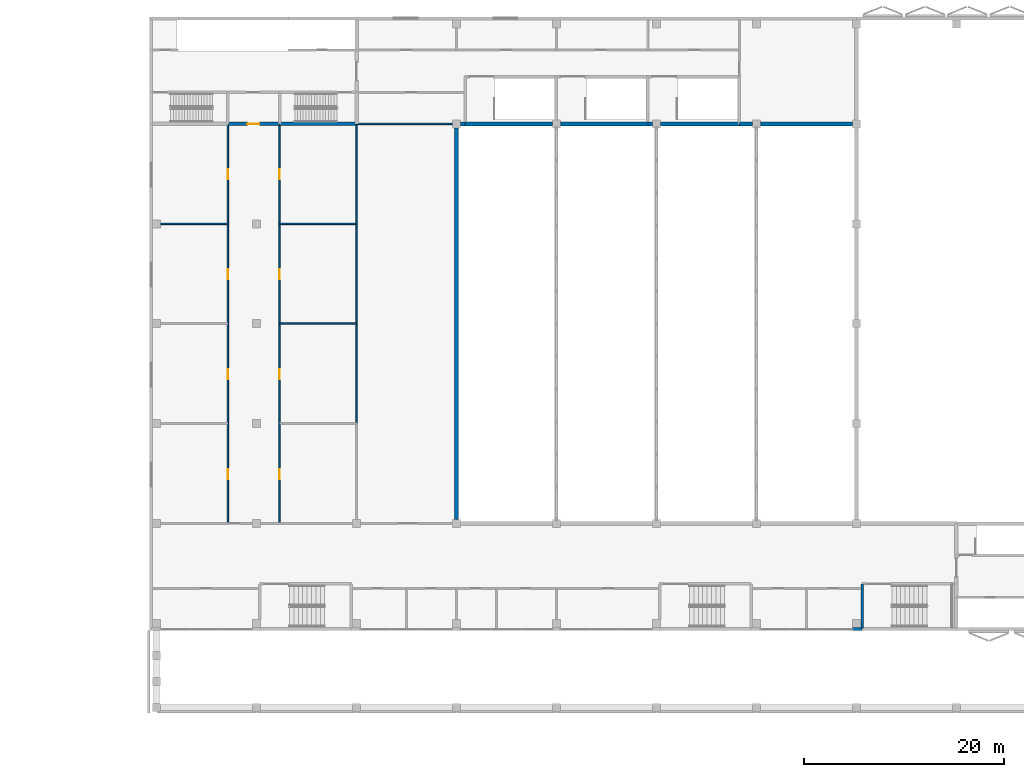
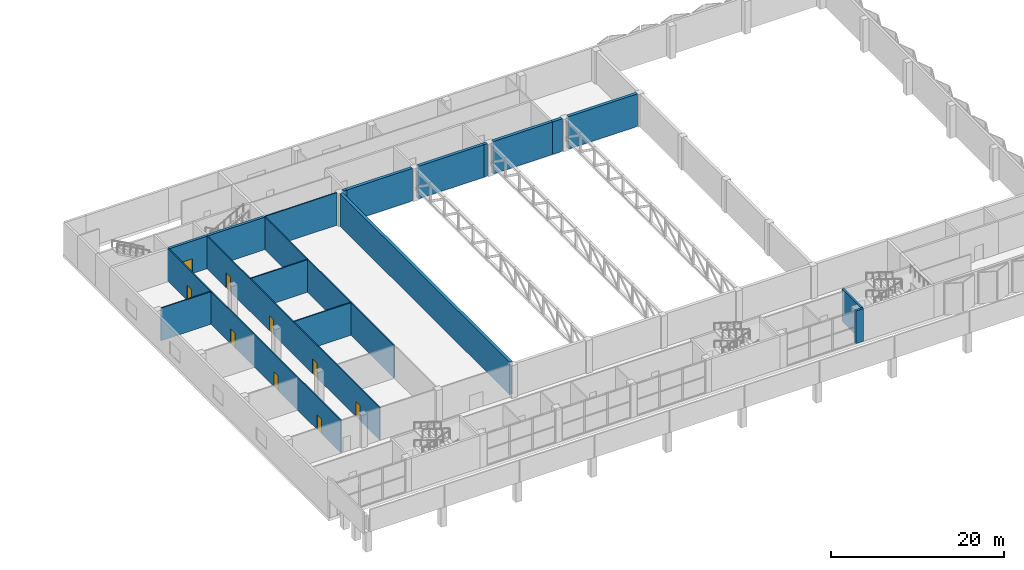
# One storey, part 17 of 36: 21 walls, 9 doors, 9 openings.
"""IFC4 building model written with IfcOpenShell, lengths in metres."""

import ifcopenshell
import ifcopenshell.guid

model = None  # the IFC model being written
_history = None  # IfcOwnerHistory: only IFC2X3 demands one
_inside = {}  # id of a spatial element -> (the spatial element, [elements in it])
_under = {}  # id of a project, library or spatial element -> (it, [spatial elements below it])
_declared = {}  # id of a project -> (the project, [libraries it declares])
_typed = {}  # id of a type object -> (the type object, [elements of that type])
_made_of = {}  # id of a material, layer set ... -> (it, [elements and type objects made of it])


def new_model(schema):
    """Start an empty IFC model of exactly this schema.

    Asked for "IFC4X3", IfcOpenShell would pick the latest addendum, in which some entities
    have other attributes; the version numbers below select the first issue.
    IFC2X3 requires an IfcOwnerHistory on every rooted entity: one is made here for all.
    """
    global model, _history
    if schema == "IFC4X3":
        model = ifcopenshell.file(schema_version=(4, 3, 0, 0))
    else:
        model = ifcopenshell.file(schema=schema)
    _inside.clear()
    _under.clear()
    _declared.clear()
    _typed.clear()
    _made_of.clear()
    _history = None
    if model.schema == "IFC2X3":
        org = make("IfcOrganization", Name="unknown")
        user = make(
            "IfcPersonAndOrganization",
            ThePerson=make("IfcPerson", FamilyName="unknown"),
            TheOrganization=org,
        )
        app = make(
            "IfcApplication",
            ApplicationDeveloper=org,
            Version="unknown",
            ApplicationFullName="unknown",
            ApplicationIdentifier="unknown",
        )
        _history = make(
            "IfcOwnerHistory",
            OwningUser=user,
            OwningApplication=app,
            ChangeAction="ADDED",
            CreationDate=0,
        )
    return model


def make(cls, **values):
    """One entity of the class cls with the attributes given. An attribute that is None is left unset."""
    return model.create_entity(
        cls, **{name: value for name, value in values.items() if value is not None}
    )


def rooted(cls, **values):
    """An entity with a GlobalId (a new one), such as an element, a storey or a relation."""
    return make(cls, GlobalId=ifcopenshell.guid.new(), OwnerHistory=_history, **values)


def si_unit(unit_type, name, prefix=None):
    """IfcSIUnit, for example si_unit("LENGTHUNIT", "METRE", prefix="MILLI")."""
    return make("IfcSIUnit", UnitType=unit_type, Prefix=prefix, Name=name)


def assignment(units):
    """IfcUnitAssignment: the units of a project."""
    return None if units is None else make("IfcUnitAssignment", Units=units)


def point(xyz):
    """IfcCartesianPoint."""
    return None if xyz is None else make("IfcCartesianPoint", Coordinates=xyz)


def direction(xyz):
    """IfcDirection."""
    return None if xyz is None else make("IfcDirection", DirectionRatios=xyz)


def frame(location, z_axis=None, x_axis=None):
    """IfcAxis2Placement3D, a coordinate frame: its origin and axes. An axis left out is left unset."""
    return make(
        "IfcAxis2Placement3D",
        Location=point(location),
        Axis=direction(z_axis),
        RefDirection=direction(x_axis),
    )


def frame_2d(location, x_axis=None):
    """IfcAxis2Placement2D, a coordinate frame in the plane: its origin and x axis."""
    return make(
        "IfcAxis2Placement2D", Location=point(location), RefDirection=direction(x_axis)
    )


def origin():
    """The frame at (0, 0, 0) with its axes left unset."""
    return frame((0.0, 0.0, 0.0))


def place(relative_to, where):
    """IfcLocalPlacement: puts the frame where relative to a parent placement (None: the world)."""
    return make(
        "IfcLocalPlacement", PlacementRelTo=relative_to, RelativePlacement=where
    )


def context(
    kind, dimensions, precision=None, world=None, true_north=None, identifier=None
):
    """IfcGeometricRepresentationContext, for example the 3D "Model" context."""
    return make(
        "IfcGeometricRepresentationContext",
        ContextIdentifier=identifier,
        ContextType=kind,
        CoordinateSpaceDimension=dimensions,
        Precision=precision,
        WorldCoordinateSystem=world,
        TrueNorth=true_north,
    )


def subcontext(parent, identifier, kind, view, scale=None):
    """IfcGeometricRepresentationSubContext, for example "Body" below "Model"."""
    return make(
        "IfcGeometricRepresentationSubContext",
        ContextIdentifier=identifier,
        ContextType=kind,
        ParentContext=parent,
        TargetScale=scale,
        TargetView=view,
    )


def project(units=None, contexts=None):
    """IfcProject with its units and contexts."""
    return rooted(
        "IfcProject",
        Name="project",
        RepresentationContexts=contexts,
        UnitsInContext=assignment(units),
    )


def spatial(cls, under=None, at=None, **own):
    """A site, building, storey or space (cls), placed at a placement, below another one or the project."""
    s = rooted(cls, ObjectPlacement=at, **own)
    if under is not None:
        _under.setdefault(under.id(), (under, []))[1].append(s)
    return s


def profile(cls, at=None, kind="AREA", **sizes):
    """A parametric profile (cls). Its sizes go by their IFC names, for example OverallWidth=200.0."""
    return make(cls, ProfileType=kind, Position=at, **sizes)


def rectangle(**sizes):
    """IfcRectangleProfileDef."""
    return profile("IfcRectangleProfileDef", **sizes)


def extrude(swept, where, along, depth):
    """IfcExtrudedAreaSolid: the profile swept, set in the frame where, extruded along a direction by depth."""
    return make(
        "IfcExtrudedAreaSolid",
        SweptArea=swept,
        Position=where,
        ExtrudedDirection=direction(along),
        Depth=depth,
    )


def shape(context_of_items, identifier, shape_type, items):
    """IfcShapeRepresentation: the items that make up one representation, for example the "Body"."""
    return make(
        "IfcShapeRepresentation",
        ContextOfItems=context_of_items,
        RepresentationIdentifier=identifier,
        RepresentationType=shape_type,
        Items=items,
    )


def material(Name=None, Category=None):
    """IfcMaterial."""
    return make("IfcMaterial", Name=Name, Category=Category)


def layer(
    of_material, thickness, ventilated=None, Name=None, Category=None, Priority=None
):
    """IfcMaterialLayer: one layer of a wall or slab, of a material (None: an air gap)."""
    return make(
        "IfcMaterialLayer",
        Material=of_material,
        LayerThickness=thickness,
        IsVentilated=ventilated,
        Name=Name,
        Category=Category,
        Priority=Priority,
    )


def layer_set(layers, Name=None):
    """IfcMaterialLayerSet."""
    return make("IfcMaterialLayerSet", MaterialLayers=layers, LayerSetName=Name)


def made_of(thing, what):
    """Note that an element or type object is made of a material, layer set ...; save() writes the relation."""
    if what is not None:
        _made_of.setdefault(what.id(), (what, []))[1].append(thing)
    return thing


def type_object(cls, material=None, **own):
    """A type object (cls), such as IfcWallType, which elements share."""
    return made_of(rooted(cls, **own), material)


def element(
    cls,
    number,
    at=None,
    inside=None,
    cuts=None,
    type_object=None,
    material=None,
    context=None,
    identifier="Body",
    shape_type=None,
    held_by="IfcProductDefinitionShape",
    body=None,
    shapes=None,
    **own,
):
    """One element of the class cls, such as IfcWall. Its Tag is "e" and its number.

    at: its placement. inside: the storey or other place that contains it. cuts: it is an
    opening in that element (IfcRelVoidsElement). A single representation is given by context,
    identifier, shape_type and body (its items); several are given by shapes. held_by: the class
    of the entity that holds the representations. save() writes the other relations.
    """
    e = rooted(cls, Tag="e%d" % number, ObjectPlacement=at, **own)
    if body is not None:
        shapes = [shape(context, identifier, shape_type, body)]
    if shapes is not None:
        e.Representation = make(held_by, Representations=shapes)
    if inside is not None:
        _inside.setdefault(inside.id(), (inside, []))[1].append(e)
    if cuts is not None:
        rooted(
            "IfcRelVoidsElement", RelatingBuildingElement=cuts, RelatedOpeningElement=e
        )
    if type_object is not None:
        _typed.setdefault(type_object.id(), (type_object, []))[1].append(e)
    return made_of(e, material)


def fill(opening, filler):
    """IfcRelFillsElement: the door or window that sits in an opening."""
    return rooted(
        "IfcRelFillsElement",
        RelatingOpeningElement=opening,
        RelatedBuildingElement=filler,
    )


def aggregate(whole, parts):
    """IfcRelAggregates: a whole, such as a stair, and the parts it consists of."""
    return rooted("IfcRelAggregates", RelatingObject=whole, RelatedObjects=parts)


def save(model, path):
    """Write the relations noted so far, then the file.

    IfcRelAggregates (storeys below a building ...), IfcRelContainedInSpatialStructure (elements
    in a storey), IfcRelDefinesByType, IfcRelAssociatesMaterial and IfcRelDeclares: one each for
    every whole, place, type object, material and project.
    """
    for whole, parts in _under.values():
        aggregate(whole, parts)
    for where, things in _inside.values():
        rooted(
            "IfcRelContainedInSpatialStructure",
            RelatedElements=things,
            RelatingStructure=where,
        )
    for kind, things in _typed.values():
        rooted("IfcRelDefinesByType", RelatedObjects=things, RelatingType=kind)
    for what, things in _made_of.values():
        rooted("IfcRelAssociatesMaterial", RelatedObjects=things, RelatingMaterial=what)
    for by, libraries in _declared.values():
        rooted("IfcRelDeclares", RelatingContext=by, RelatedDefinitions=libraries)
    model.write(path)


model = new_model("IFC4")

# Units and contexts
model_context = context("Model", 3, precision=1e-05, world=origin(), true_north=direction((0.0, 1.0)))
body_context = subcontext(model_context, "Body", "Model", "MODEL_VIEW")
ifc_project = project(units=[si_unit("LENGTHUNIT", "METRE"), si_unit("AREAUNIT", "SQUARE_METRE"), si_unit("VOLUMEUNIT", "CUBIC_METRE"), si_unit("PLANEANGLEUNIT", "RADIAN"), si_unit("MASSUNIT", "GRAM", prefix="KILO")], contexts=[model_context])

# Site, building, storey
site_placement = place(None, origin())
site = spatial("IfcSite", under=ifc_project, at=site_placement, CompositionType="ELEMENT")
building_placement = place(site_placement, origin())
building = spatial("IfcBuilding", under=site, at=building_placement, Name="Jabali Bay Hotel Tower and Convention Centre", CompositionType="ELEMENT")
storey_placement = place(building_placement, frame((0.0, 0.0, 20.39990234375)))
storey = spatial("IfcBuildingStorey", under=building, at=storey_placement, Name="L03", CompositionType="ELEMENT", Elevation=20.39990234375)

# Wall, opening, door
ifc_material_1 = material(Name="Concrete C60", Category="concrete")
ifc_layer_1 = layer(ifc_material_1, 0.35009765625)
ifc_layer_set_1 = layer_set([ifc_layer_1], Name="Concrete C60")
wall_type_1 = type_object("IfcWallType", Name="CC Core Wall 350", PredefinedType="SHEAR", material=ifc_layer_set_1)
wall_1_placement = place(storey_placement, frame((163.0, 100.0, 0.0), z_axis=(0.0, 0.0, 1.0), x_axis=(-1.0, 0.0, 0.0)))
wall_1 = element("IfcWall", 1, at=wall_1_placement, inside=storey, type_object=wall_type_1, Name="CC west core wall", PredefinedType="SHEAR", context=body_context, shape_type="SweptSolid", body=[
    extrude(rectangle(XDim=5.175048828125, YDim=0.35009765625, at=frame_2d((2.58740234375, 0.0))), origin(), (0.0, 0.0, 1.0), 4.590087890625),
])
opening_1_placement = place(wall_1_placement, frame((2.02490234375, 0.0, 0.0)))
opening_1 = element("IfcOpeningElement", 2, at=opening_1_placement, cuts=wall_1, Name="Opening CC-D057", PredefinedType="OPENING", context=body_context, shape_type="SweptSolid", body=[
    extrude(rectangle(XDim=1.199951171875, YDim=2.10009765625, at=frame_2d((0.60009765625, 1.050048828125))), frame((0.0, 0.185546875, 0.0), z_axis=(0.0, -1.0, 0.0), x_axis=(1.0, 0.0, 0.0)), (0.0, 0.0, 1.0), 0.37109375),
])
ifc_material_2 = material(Name="Timber and steel door set", Category="steel")
door_type_1 = type_object("IfcDoorType", Name="CC Vestibule Door 1200x2100", OperationType="NOTDEFINED", PredefinedType="DOOR", material=ifc_material_2)
door_1_placement = place(opening_1_placement, origin())
door_1 = element("IfcDoor", 3, at=door_1_placement, inside=storey, type_object=door_type_1, Name="CC door CC-D057", OperationType="SINGLE_SWING_LEFT", OverallHeight=2.10009765625, OverallWidth=1.199951171875, PredefinedType="DOOR", context=body_context, shape_type="SweptSolid", body=[
    extrude(rectangle(XDim=1.199951171875, YDim=2.10009765625, at=frame_2d((0.60009765625, 1.050048828125))), frame((0.0, 0.02490234375, 0.0), z_axis=(0.0, -1.0, 0.0), x_axis=(1.0, 0.0, 0.0)), (0.0, 0.0, 1.0), 0.050048828125),
])
fill(opening_1, door_1)

# Walls
wall_2_placement = place(storey_placement, frame((163.0, 100.0, 0.0), z_axis=(0.0, 0.0, 1.0), x_axis=(1.0, 0.0, 0.0)))
element("IfcWall", 4, at=wall_2_placement, inside=storey, type_object=wall_type_1, Name="CC west core wall", PredefinedType="SHEAR", context=body_context, shape_type="SweptSolid", body=[
    extrude(rectangle(XDim=7.699951171875, YDim=0.35009765625, at=frame_2d((3.85009765625, 0.0))), origin(), (0.0, 0.0, 1.0), 4.590087890625),
])
ifc_material_3 = material(Name="Concrete C40", Category="concrete")
ifc_layer_2 = layer(ifc_material_3, 0.300048828125)
ifc_layer_set_2 = layer_set([ifc_layer_2], Name="Concrete C40")
wall_type_2 = type_object("IfcWallType", Name="CC External Wall 300", PredefinedType="SOLIDWALL", material=ifc_layer_set_2)
wall_3_placement = place(storey_placement, frame((220.300048828125, 49.449951171875, 0.0), z_axis=(0.0, 0.0, 1.0), x_axis=(1.0, 0.0, 0.0)))
element("IfcWall", 5, at=wall_3_placement, inside=storey, type_object=wall_type_2, Name="CC wall 319", PredefinedType="SOLIDWALL", context=body_context, shape_type="SweptSolid", body=[
    extrude(rectangle(XDim=0.974853515625, YDim=0.300048828125, at=frame_2d((0.4873046875, 0.0))), origin(), (0.0, 0.0, 1.0), 4.590087890625),
])
ifc_layer_3 = layer(ifc_material_3, 0.39990234375)
ifc_layer_set_3 = layer_set([ifc_layer_3], Name="Concrete C40")
wall_type_3 = type_object("IfcWallType", Name="CC Hall Wall 400", PredefinedType="SHEAR", material=ifc_layer_set_3)
wall_4_placement = place(storey_placement, frame((180.699951171875, 60.39990234375, 0.0), z_axis=(0.0, 0.0, 1.0), x_axis=(0.0, 1.0, 0.0)))
element("IfcWall", 6, at=wall_4_placement, inside=storey, type_object=wall_type_3, Name="CC ballroom wall", PredefinedType="SHEAR", context=body_context, shape_type="SweptSolid", body=[
    extrude(rectangle(XDim=39.2001953125, YDim=0.39990234375, at=frame_2d((19.60009765625, 0.0))), origin(), (0.0, 0.0, 1.0), 4.590087890625),
])
wall_5_placement = place(storey_placement, frame((181.10009765625, 100.0, 0.0), z_axis=(0.0, 0.0, 1.0), x_axis=(1.0, 0.0, 0.0)))
element("IfcWall", 7, at=wall_5_placement, inside=storey, type_object=wall_type_3, Name="CC ballroom wall", PredefinedType="SHEAR", context=body_context, shape_type="SweptSolid", body=[
    extrude(rectangle(XDim=0.449951171875, YDim=0.39990234375, at=frame_2d((0.22509765625, 0.0))), origin(), (0.0, 0.0, 1.0), 4.590087890625),
])
for number, where, z_axis, x_axis, name in (
    (8, (181.550048828125, 100.0, 0.0), (0.0, 0.0, 1.0), (1.0, 0.0, 0.0), "CC ballroom wall"),
    (9, (191.10009765625, 100.0, 0.0), (0.0, 0.0, 1.0), (1.0, 0.0, 0.0), "CC ballroom wall"),
):
    element("IfcWall", number, at=place(storey_placement, frame(where, z_axis=z_axis, x_axis=x_axis)), inside=storey, type_object=wall_type_3, Name=name, PredefinedType="SHEAR", context=body_context, shape_type="SweptSolid", body=[
        extrude(rectangle(XDim=8.75, YDim=0.39990234375, at=frame_2d((4.375, 0.0))), origin(), (0.0, 0.0, 1.0), 4.590087890625),
    ])
wall_6_placement = place(storey_placement, frame((199.85009765625, 100.0, 0.0), z_axis=(0.0, 0.0, 1.0), x_axis=(1.0, 0.0, 0.0)))
element("IfcWall", 10, at=wall_6_placement, inside=storey, type_object=wall_type_3, Name="CC ballroom wall", PredefinedType="SHEAR", context=body_context, shape_type="SweptSolid", body=[
    extrude(rectangle(XDim=0.449951171875, YDim=0.39990234375, at=frame_2d((0.22509765625, 0.0))), origin(), (0.0, 0.0, 1.0), 4.590087890625),
])
wall_7_placement = place(storey_placement, frame((201.10009765625, 100.0, 0.0), z_axis=(0.0, 0.0, 1.0), x_axis=(1.0, 0.0, 0.0)))
element("IfcWall", 11, at=wall_7_placement, inside=storey, type_object=wall_type_3, Name="CC ballroom wall", PredefinedType="SHEAR", context=body_context, shape_type="SweptSolid", body=[
    extrude(rectangle(XDim=7.89990234375, YDim=0.39990234375, at=frame_2d((3.949951171875, 0.0))), origin(), (0.0, 0.0, 1.0), 4.590087890625),
])
wall_8_placement = place(storey_placement, frame((209.0, 100.0, 0.0), z_axis=(0.0, 0.0, 1.0), x_axis=(1.0, 0.0, 0.0)))
element("IfcWall", 12, at=wall_8_placement, inside=storey, type_object=wall_type_3, Name="CC ballroom wall", PredefinedType="SHEAR", context=body_context, shape_type="SweptSolid", body=[
    extrude(rectangle(XDim=1.300048828125, YDim=0.39990234375, at=frame_2d((0.64990234375, 0.0))), origin(), (0.0, 0.0, 1.0), 4.590087890625),
])
wall_9_placement = place(storey_placement, frame((211.10009765625, 100.0, 0.0), z_axis=(0.0, 0.0, 1.0), x_axis=(1.0, 0.0, 0.0)))
element("IfcWall", 13, at=wall_9_placement, inside=storey, type_object=wall_type_3, Name="CC ballroom wall", PredefinedType="SHEAR", context=body_context, shape_type="SweptSolid", body=[
    extrude(rectangle(XDim=9.199951171875, YDim=0.39990234375, at=frame_2d((4.60009765625, 0.0))), origin(), (0.0, 0.0, 1.0), 4.590087890625),
])

# Wall, openings, doors
ifc_material_4 = material(Name="Blockwork M10", Category="masonry")
ifc_layer_4 = layer(ifc_material_4, 0.14990234375)
ifc_layer_set_4 = layer_set([ifc_layer_4], Name="Blockwork M10")
wall_type_4 = type_object("IfcWallType", Name="CC Partition 150", PredefinedType="PARTITIONING", material=ifc_layer_set_4)
wall_10_placement = place(storey_placement, frame((157.824951171875, 100.0, 0.0), z_axis=(0.0, 0.0, 1.0), x_axis=(0.0, -1.0, 0.0)))
wall_10 = element("IfcWall", 14, at=wall_10_placement, inside=storey, type_object=wall_type_4, Name="CC wall 477", PredefinedType="PARTITIONING", context=body_context, shape_type="SweptSolid", body=[
    extrude(rectangle(XDim=40.0, YDim=0.14990234375, at=frame_2d((20.0, 0.0))), origin(), (0.0, 0.0, 1.0), 4.590087890625),
])
opening_2_placement = place(wall_10_placement, frame((34.550048828125, 0.0, 0.0)))
opening_2 = element("IfcOpeningElement", 15, at=opening_2_placement, cuts=wall_10, Name="Opening CC-D058", PredefinedType="OPENING", context=body_context, shape_type="SweptSolid", body=[
    extrude(rectangle(XDim=1.0, YDim=2.10009765625, at=frame_2d((0.5, 1.050048828125))), frame((0.0, 0.08544921875, 0.0), z_axis=(0.0, -1.0, 0.0), x_axis=(1.0, 0.0, 0.0)), (0.0, 0.0, 1.0), 0.1708984375),
])
opening_3_placement = place(wall_10_placement, frame((24.550048828125, 0.0, 0.0)))
opening_3 = element("IfcOpeningElement", 16, at=opening_3_placement, cuts=wall_10, Name="Opening CC-D060", PredefinedType="OPENING", context=body_context, shape_type="SweptSolid", body=[
    extrude(rectangle(XDim=1.0, YDim=2.10009765625, at=frame_2d((0.5, 1.050048828125))), frame((0.0, 0.08544921875, 0.0), z_axis=(0.0, -1.0, 0.0), x_axis=(1.0, 0.0, 0.0)), (0.0, 0.0, 1.0), 0.1708984375),
])
opening_4_placement = place(wall_10_placement, frame((14.550048828125, 0.0, 0.0)))
opening_4 = element("IfcOpeningElement", 17, at=opening_4_placement, cuts=wall_10, Name="Opening CC-D062", PredefinedType="OPENING", context=body_context, shape_type="SweptSolid", body=[
    extrude(rectangle(XDim=1.0, YDim=2.10009765625, at=frame_2d((0.5, 1.050048828125))), frame((0.0, 0.08544921875, 0.0), z_axis=(0.0, -1.0, 0.0), x_axis=(1.0, 0.0, 0.0)), (0.0, 0.0, 1.0), 0.1708984375),
])
opening_5_placement = place(wall_10_placement, frame((4.550048828125, 0.0, 0.0)))
opening_5 = element("IfcOpeningElement", 18, at=opening_5_placement, cuts=wall_10, Name="Opening CC-D064", PredefinedType="OPENING", context=body_context, shape_type="SweptSolid", body=[
    extrude(rectangle(XDim=1.0, YDim=2.10009765625, at=frame_2d((0.5, 1.050048828125))), frame((0.0, 0.08544921875, 0.0), z_axis=(0.0, -1.0, 0.0), x_axis=(1.0, 0.0, 0.0)), (0.0, 0.0, 1.0), 0.1708984375),
])
door_type_2 = type_object("IfcDoorType", Name="CC Single Door 1000x2100", OperationType="NOTDEFINED", PredefinedType="DOOR", material=ifc_material_2)
door_2_placement = place(opening_2_placement, origin())
door_2 = element("IfcDoor", 19, at=door_2_placement, inside=storey, type_object=door_type_2, Name="CC door CC-D058", OperationType="SINGLE_SWING_RIGHT", OverallHeight=2.10009765625, OverallWidth=1.0, PredefinedType="DOOR", context=body_context, shape_type="SweptSolid", body=[
    extrude(rectangle(XDim=1.0, YDim=2.10009765625, at=frame_2d((0.5, 1.050048828125))), frame((0.0, 0.02490234375, 0.0), z_axis=(0.0, -1.0, 0.0), x_axis=(1.0, 0.0, 0.0)), (0.0, 0.0, 1.0), 0.050048828125),
])
fill(opening_2, door_2)
door_3_placement = place(opening_3_placement, origin())
door_3 = element("IfcDoor", 20, at=door_3_placement, inside=storey, type_object=door_type_2, Name="CC door CC-D060", OperationType="SINGLE_SWING_RIGHT", OverallHeight=2.10009765625, OverallWidth=1.0, PredefinedType="DOOR", context=body_context, shape_type="SweptSolid", body=[
    extrude(rectangle(XDim=1.0, YDim=2.10009765625, at=frame_2d((0.5, 1.050048828125))), frame((0.0, 0.02490234375, 0.0), z_axis=(0.0, -1.0, 0.0), x_axis=(1.0, 0.0, 0.0)), (0.0, 0.0, 1.0), 0.050048828125),
])
fill(opening_3, door_3)
door_4_placement = place(opening_4_placement, origin())
door_4 = element("IfcDoor", 21, at=door_4_placement, inside=storey, type_object=door_type_2, Name="CC door CC-D062", OperationType="SINGLE_SWING_RIGHT", OverallHeight=2.10009765625, OverallWidth=1.0, PredefinedType="DOOR", context=body_context, shape_type="SweptSolid", body=[
    extrude(rectangle(XDim=1.0, YDim=2.10009765625, at=frame_2d((0.5, 1.050048828125))), frame((0.0, 0.02490234375, 0.0), z_axis=(0.0, -1.0, 0.0), x_axis=(1.0, 0.0, 0.0)), (0.0, 0.0, 1.0), 0.050048828125),
])
fill(opening_4, door_4)
door_5_placement = place(opening_5_placement, origin())
door_5 = element("IfcDoor", 22, at=door_5_placement, inside=storey, type_object=door_type_2, Name="CC door CC-D064", OperationType="SINGLE_SWING_RIGHT", OverallHeight=2.10009765625, OverallWidth=1.0, PredefinedType="DOOR", context=body_context, shape_type="SweptSolid", body=[
    extrude(rectangle(XDim=1.0, YDim=2.10009765625, at=frame_2d((0.5, 1.050048828125))), frame((0.0, 0.02490234375, 0.0), z_axis=(0.0, -1.0, 0.0), x_axis=(1.0, 0.0, 0.0)), (0.0, 0.0, 1.0), 0.050048828125),
])
fill(opening_5, door_5)

wall_11_placement = place(storey_placement, frame((163.0, 60.0, 0.0), z_axis=(0.0, 0.0, 1.0), x_axis=(0.0, 1.0, 0.0)))
wall_11 = element("IfcWall", 23, at=wall_11_placement, inside=storey, type_object=wall_type_4, Name="CC wall 478", PredefinedType="PARTITIONING", context=body_context, shape_type="SweptSolid", body=[
    extrude(rectangle(XDim=40.0, YDim=0.14990234375, at=frame_2d((20.0, 0.0))), origin(), (0.0, 0.0, 1.0), 4.590087890625),
])
opening_6_placement = place(wall_11_placement, frame((4.449951171875, 0.0, 0.0)))
opening_6 = element("IfcOpeningElement", 24, at=opening_6_placement, cuts=wall_11, Name="Opening CC-D059", PredefinedType="OPENING", context=body_context, shape_type="SweptSolid", body=[
    extrude(rectangle(XDim=1.0, YDim=2.10009765625, at=frame_2d((0.5, 1.050048828125))), frame((0.0, 0.08544921875, 0.0), z_axis=(0.0, -1.0, 0.0), x_axis=(1.0, 0.0, 0.0)), (0.0, 0.0, 1.0), 0.1708984375),
])
opening_7_placement = place(wall_11_placement, frame((14.449951171875, 0.0, 0.0)))
opening_7 = element("IfcOpeningElement", 25, at=opening_7_placement, cuts=wall_11, Name="Opening CC-D061", PredefinedType="OPENING", context=body_context, shape_type="SweptSolid", body=[
    extrude(rectangle(XDim=1.0, YDim=2.10009765625, at=frame_2d((0.5, 1.050048828125))), frame((0.0, 0.08544921875, 0.0), z_axis=(0.0, -1.0, 0.0), x_axis=(1.0, 0.0, 0.0)), (0.0, 0.0, 1.0), 0.1708984375),
])
opening_8_placement = place(wall_11_placement, frame((24.449951171875, 0.0, 0.0)))
opening_8 = element("IfcOpeningElement", 26, at=opening_8_placement, cuts=wall_11, Name="Opening CC-D063", PredefinedType="OPENING", context=body_context, shape_type="SweptSolid", body=[
    extrude(rectangle(XDim=1.0, YDim=2.10009765625, at=frame_2d((0.5, 1.050048828125))), frame((0.0, 0.08544921875, 0.0), z_axis=(0.0, -1.0, 0.0), x_axis=(1.0, 0.0, 0.0)), (0.0, 0.0, 1.0), 0.1708984375),
])
opening_9_placement = place(wall_11_placement, frame((34.449951171875, 0.0, 0.0)))
opening_9 = element("IfcOpeningElement", 27, at=opening_9_placement, cuts=wall_11, Name="Opening CC-D065", PredefinedType="OPENING", context=body_context, shape_type="SweptSolid", body=[
    extrude(rectangle(XDim=1.0, YDim=2.10009765625, at=frame_2d((0.5, 1.050048828125))), frame((0.0, 0.08544921875, 0.0), z_axis=(0.0, -1.0, 0.0), x_axis=(1.0, 0.0, 0.0)), (0.0, 0.0, 1.0), 0.1708984375),
])
door_6_placement = place(opening_6_placement, origin())
door_6 = element("IfcDoor", 28, at=door_6_placement, inside=storey, type_object=door_type_2, Name="CC door CC-D059", OperationType="SINGLE_SWING_LEFT", OverallHeight=2.10009765625, OverallWidth=1.0, PredefinedType="DOOR", context=body_context, shape_type="SweptSolid", body=[
    extrude(rectangle(XDim=1.0, YDim=2.10009765625, at=frame_2d((0.5, 1.050048828125))), frame((0.0, 0.02490234375, 0.0), z_axis=(0.0, -1.0, 0.0), x_axis=(1.0, 0.0, 0.0)), (0.0, 0.0, 1.0), 0.050048828125),
])
fill(opening_6, door_6)
door_7_placement = place(opening_7_placement, origin())
door_7 = element("IfcDoor", 29, at=door_7_placement, inside=storey, type_object=door_type_2, Name="CC door CC-D061", OperationType="SINGLE_SWING_LEFT", OverallHeight=2.10009765625, OverallWidth=1.0, PredefinedType="DOOR", context=body_context, shape_type="SweptSolid", body=[
    extrude(rectangle(XDim=1.0, YDim=2.10009765625, at=frame_2d((0.5, 1.050048828125))), frame((0.0, 0.02490234375, 0.0), z_axis=(0.0, -1.0, 0.0), x_axis=(1.0, 0.0, 0.0)), (0.0, 0.0, 1.0), 0.050048828125),
])
fill(opening_7, door_7)
door_8_placement = place(opening_8_placement, origin())
door_8 = element("IfcDoor", 30, at=door_8_placement, inside=storey, type_object=door_type_2, Name="CC door CC-D063", OperationType="SINGLE_SWING_LEFT", OverallHeight=2.10009765625, OverallWidth=1.0, PredefinedType="DOOR", context=body_context, shape_type="SweptSolid", body=[
    extrude(rectangle(XDim=1.0, YDim=2.10009765625, at=frame_2d((0.5, 1.050048828125))), frame((0.0, 0.02490234375, 0.0), z_axis=(0.0, -1.0, 0.0), x_axis=(1.0, 0.0, 0.0)), (0.0, 0.0, 1.0), 0.050048828125),
])
fill(opening_8, door_8)
door_9_placement = place(opening_9_placement, origin())
door_9 = element("IfcDoor", 31, at=door_9_placement, inside=storey, type_object=door_type_2, Name="CC door CC-D065", OperationType="SINGLE_SWING_LEFT", OverallHeight=2.10009765625, OverallWidth=1.0, PredefinedType="DOOR", context=body_context, shape_type="SweptSolid", body=[
    extrude(rectangle(XDim=1.0, YDim=2.10009765625, at=frame_2d((0.5, 1.050048828125))), frame((0.0, 0.02490234375, 0.0), z_axis=(0.0, -1.0, 0.0), x_axis=(1.0, 0.0, 0.0)), (0.0, 0.0, 1.0), 0.050048828125),
])
fill(opening_9, door_9)

# Walls
wall_12_placement = place(storey_placement, frame((163.0, 80.0, 0.0), z_axis=(0.0, 0.0, 1.0), x_axis=(1.0, 0.0, 0.0)))
element("IfcWall", 32, at=wall_12_placement, inside=storey, type_object=wall_type_4, Name="CC wall 483", PredefinedType="PARTITIONING", context=body_context, shape_type="SweptSolid", body=[
    extrude(rectangle(XDim=7.699951171875, YDim=0.14990234375, at=frame_2d((3.85009765625, 0.0))), origin(), (0.0, 0.0, 1.0), 4.590087890625),
])
wall_13_placement = place(storey_placement, frame((170.699951171875, 70.0, 0.0), z_axis=(0.0, 0.0, 1.0), x_axis=(0.0, 1.0, 0.0)))
element("IfcWall", 33, at=wall_13_placement, inside=storey, type_object=wall_type_4, Name="CC wall 484", PredefinedType="PARTITIONING", context=body_context, shape_type="SweptSolid", body=[
    extrude(rectangle(XDim=10.0, YDim=0.14990234375, at=frame_2d((5.0, 0.0))), origin(), (0.0, 0.0, 1.0), 4.590087890625),
])
wall_14_placement = place(storey_placement, frame((151.10009765625, 90.0, 0.0), z_axis=(0.0, 0.0, 1.0), x_axis=(1.0, 0.0, 0.0)))
element("IfcWall", 34, at=wall_14_placement, inside=storey, type_object=wall_type_4, Name="CC wall 485", PredefinedType="PARTITIONING", context=body_context, shape_type="SweptSolid", body=[
    extrude(rectangle(XDim=6.724853515625, YDim=0.14990234375, at=frame_2d((3.3623046875, 0.0))), origin(), (0.0, 0.0, 1.0), 4.590087890625),
])
wall_15_placement = place(storey_placement, frame((163.0, 90.0, 0.0), z_axis=(0.0, 0.0, 1.0), x_axis=(1.0, 0.0, 0.0)))
element("IfcWall", 35, at=wall_15_placement, inside=storey, type_object=wall_type_4, Name="CC wall 486", PredefinedType="PARTITIONING", context=body_context, shape_type="SweptSolid", body=[
    extrude(rectangle(XDim=7.699951171875, YDim=0.14990234375, at=frame_2d((3.85009765625, 0.0))), origin(), (0.0, 0.0, 1.0), 4.590087890625),
])
for number, where, z_axis, x_axis, name in (
    (36, (170.699951171875, 80.0, 0.0), (0.0, 0.0, 1.0), (0.0, 1.0, 0.0), "CC wall 487"),
    (37, (170.699951171875, 90.0, 0.0), (0.0, 0.0, 1.0), (0.0, 1.0, 0.0), "CC wall 488"),
):
    element("IfcWall", number, at=place(storey_placement, frame(where, z_axis=z_axis, x_axis=x_axis)), inside=storey, type_object=wall_type_4, Name=name, PredefinedType="PARTITIONING", context=body_context, shape_type="SweptSolid", body=[
        extrude(rectangle(XDim=10.0, YDim=0.14990234375, at=frame_2d((5.0, 0.0))), origin(), (0.0, 0.0, 1.0), 4.590087890625),
    ])
wall_16_placement = place(storey_placement, frame((170.699951171875, 100.0, 0.0), z_axis=(0.0, 0.0, 1.0), x_axis=(1.0, 0.0, 0.0)))
element("IfcWall", 38, at=wall_16_placement, inside=storey, type_object=wall_type_4, Name="CC wall 489", PredefinedType="PARTITIONING", context=body_context, shape_type="SweptSolid", body=[
    extrude(rectangle(XDim=9.60009765625, YDim=0.14990234375, at=frame_2d((4.800048828125, 0.0))), origin(), (0.0, 0.0, 1.0), 4.590087890625),
])
ifc_layer_5 = layer(ifc_material_3, 0.25)
ifc_layer_set_5 = layer_set([ifc_layer_5], Name="Concrete C40")
wall_type_5 = type_object("IfcWallType", Name="CC Shaft Wall 250", PredefinedType="SHEAR", material=ifc_layer_set_5)
wall_17_placement = place(storey_placement, frame((221.27490234375, 49.5, 0.0), z_axis=(0.0, 0.0, 1.0), x_axis=(0.0, 1.0, 0.0)))
element("IfcWall", 39, at=wall_17_placement, inside=storey, type_object=wall_type_5, Name="CC wall 471", PredefinedType="SHEAR", context=body_context, shape_type="SweptSolid", body=[
    extrude(rectangle(XDim=4.47509765625, YDim=0.25, at=frame_2d((2.237548828125, 0.0))), origin(), (0.0, 0.0, 1.0), 4.590087890625),
])

save(model, "model.ifc")
